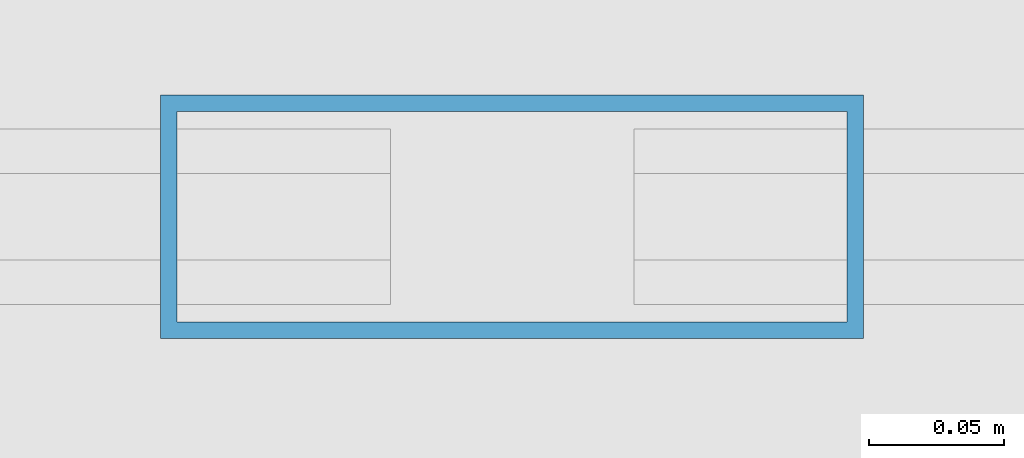
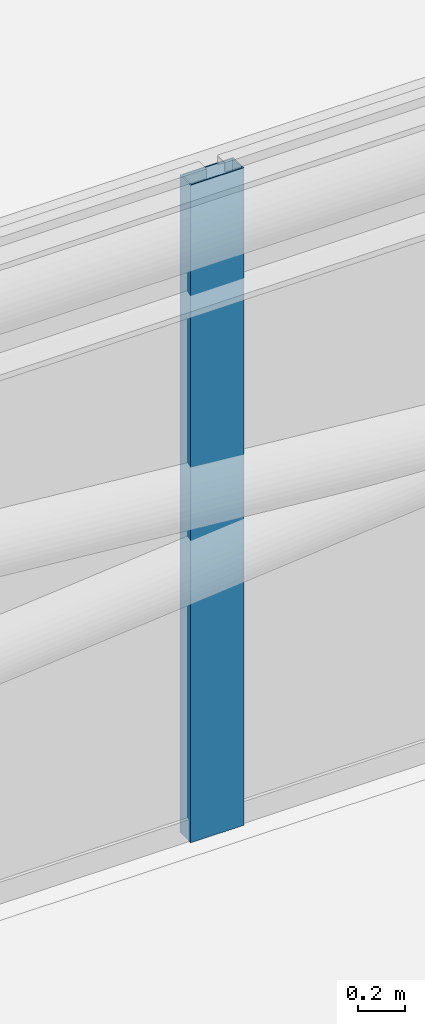
# One storey, part 5 of 22: 1 member, 1 element without a shape of its own.
"""IFC4 building model written with IfcOpenShell, lengths in metres."""

from ifc_helpers import new_model, si_unit, direction, frame, origin, origin_2d, place, context, subcontext, project, spatial, hollow_rectangle, extrude, material, layer, layer_set, material_profile, profile_set, type_object, element, aggregate, save


model = new_model("IFC4")

# Units and contexts
model_context = context("Model", 3, precision=1e-05, world=origin(), true_north=direction((0.0, 1.0)))
body_context = subcontext(model_context, "Body", "Model", "MODEL_VIEW")
ifc_project = project(units=[si_unit("LENGTHUNIT", "METRE"), si_unit("AREAUNIT", "SQUARE_METRE"), si_unit("VOLUMEUNIT", "CUBIC_METRE"), si_unit("PLANEANGLEUNIT", "RADIAN"), si_unit("MASSUNIT", "GRAM", prefix="KILO")], contexts=[model_context])

# Site, building, storey
site_placement = place(None, origin())
site = spatial("IfcSite", under=ifc_project, at=site_placement, CompositionType="ELEMENT")
building_placement = place(site_placement, origin())
building = spatial("IfcBuilding", under=site, at=building_placement, Name="Qobustan Lattice House", CompositionType="ELEMENT")
storey_placement = place(building_placement, frame((0.0, 0.0, 274.0)))
storey = spatial("IfcBuildingStorey", under=building, at=storey_placement, Name="L77", CompositionType="ELEMENT", Elevation=274.0)

# Curtain wall, member
ifc_material_1 = material(Name="Anodised aluminium and low-E glazing", Category="aluminium")
ifc_layer = layer(ifc_material_1, 0.219970703125)
ifc_layer_set = layer_set([ifc_layer], Name="Anodised aluminium and low-E glazing")
curtain_wall_type = type_object("IfcCurtainWallType", Name="CW-CRN-01", PredefinedType="USERDEFINED", material=ifc_layer_set)
curtain_wall_placement = place(storey_placement, origin())
curtain_wall = element("IfcCurtainWall", 1, at=curtain_wall_placement, inside=storey, type_object=curtain_wall_type, Name="L77 glass-point crown faceted curtain wall 20", ObjectType="CURTAIN WALL", PredefinedType="USERDEFINED")
ifc_material_2 = material(Name="Anodised aluminium EN AW-6063 T6", Category="aluminium")
ifc_material_profile = material_profile(ifc_material_2, hollow_rectangle(XDim=0.090087890625, YDim=0.260009765625, WallThickness=0.006103515625, at=origin_2d()), Name="CWM-CROWN-260x90")
ifc_profile_set = profile_set([ifc_material_profile], Name="Anodised aluminium EN AW-6063 T6")
member_type = type_object("IfcMemberType", Name="CWM-CRN-260", PredefinedType="MULLION", material=ifc_profile_set)
member_placement = place(storey_placement, frame((-2.1416015625, -15.401611328125, 0.0), z_axis=(0.0, 0.0, 1.0), x_axis=(0.0, -1.0, 0.0)))
member = element("IfcMember", 2, at=member_placement, type_object=member_type, Name="CW-CR mullion 6", PredefinedType="MULLION", context=body_context, shape_type="SweptSolid", body=[
    extrude(hollow_rectangle(XDim=0.090087890625, YDim=0.260009765625, WallThickness=0.006103515625, at=origin_2d()), origin(), (0.0, 0.0, 1.0), 3.39990234375),
])
aggregate(curtain_wall, [member])

save(model, "model.ifc")
